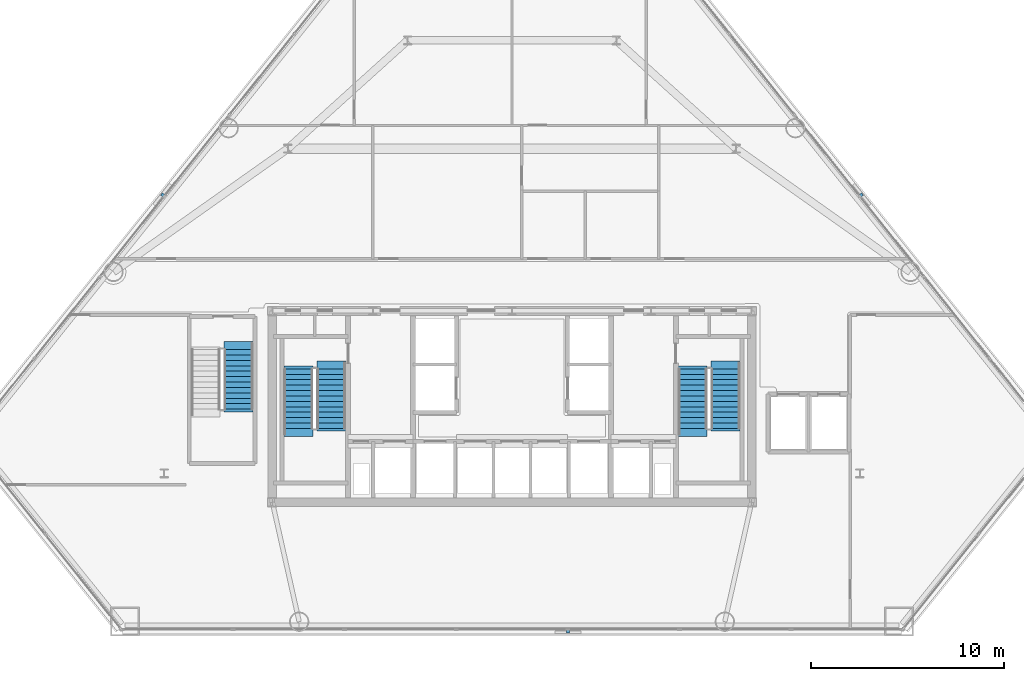
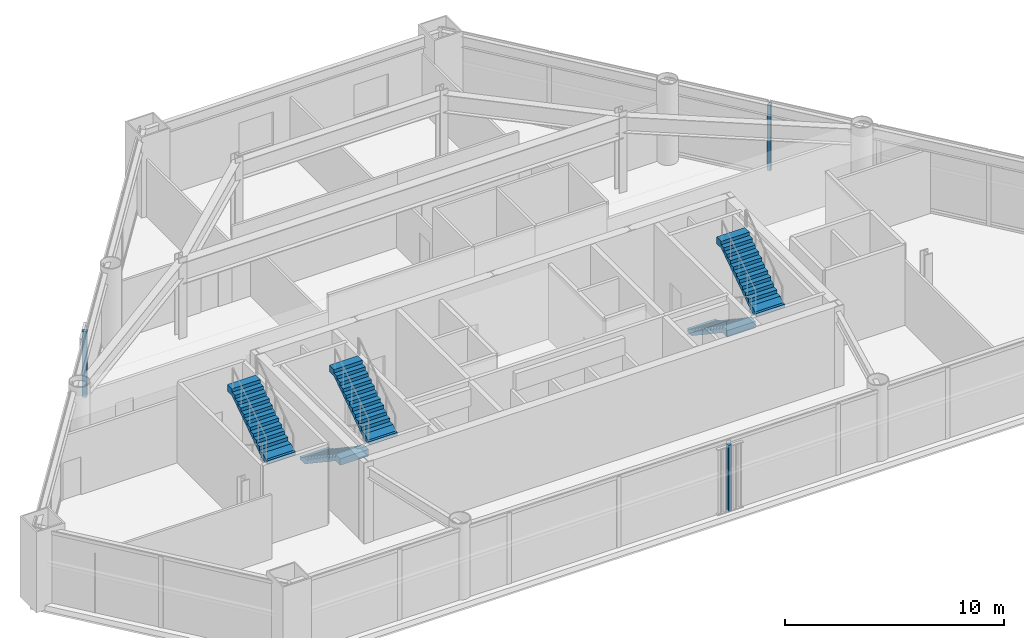
# One storey, part 10 of 13: 5 stair flights, 3 discrete accessories, 3 elements without a shape of their own.
"""IFC4 building model written with IfcOpenShell, lengths in metres."""

from ifc_helpers import new_model, si_unit, direction, frame, origin, origin_2d, place, context, subcontext, project, spatial, polyline, rectangle, outline, extrude, source, transform, mapped, material, layer, layer_set, type_object, type_shapes, element, aggregate, save


model = new_model("IFC4")

# Units and contexts
model_context = context("Model", 3, precision=1e-05, world=origin(), true_north=direction((0.0, 1.0)))
body_context = subcontext(model_context, "Body", "Model", "MODEL_VIEW")
ifc_project = project(units=[si_unit("LENGTHUNIT", "METRE"), si_unit("AREAUNIT", "SQUARE_METRE"), si_unit("VOLUMEUNIT", "CUBIC_METRE"), si_unit("PLANEANGLEUNIT", "RADIAN"), si_unit("MASSUNIT", "GRAM", prefix="KILO")], contexts=[model_context])

# Site, building, storey
site_placement = place(None, origin())
site = spatial("IfcSite", under=ifc_project, at=site_placement, CompositionType="ELEMENT")
building_placement = place(site_placement, origin())
building = spatial("IfcBuilding", under=site, at=building_placement, Name="Talgorran Terracotta Tower", CompositionType="ELEMENT")
storey_placement = place(building_placement, frame((0.0, 0.0, 9.89990234375)))
storey = spatial("IfcBuildingStorey", under=building, at=storey_placement, Name="L02", CompositionType="ELEMENT", Elevation=9.89990234375)

# Stair, stair flights
ifc_material_1 = material(Name="Concrete C40/50", Category="concrete")
stair_type_1 = type_object("IfcStairType", Name="ST_FIRE_SCISSOR", PredefinedType="HALF_TURN_STAIR", material=ifc_material_1)
stair_1_placement = place(storey_placement, origin())
stair_1 = element("IfcStair", 1, at=stair_1_placement, inside=storey, type_object=stair_type_1, Name="L02 West Protected Fire Stair ST-01", PredefinedType="HALF_TURN_STAIR")
ifc_layer_1 = layer(ifc_material_1, 0.179931640625, Name="STF_RC_1500")
ifc_layer_set_1 = layer_set([ifc_layer_1], Name="Concrete C40/50")
stair_flight_type_1 = type_object("IfcStairFlightType", Name="STF_RC_1500", PredefinedType="STRAIGHT", material=ifc_layer_set_1)
stair_flight_1_placement = place(storey_placement, frame((-11.050048828125, -7.199951171875, 0.0), z_axis=(0.0, 0.0, 1.0), x_axis=(0.0, -1.0, 0.0)))
stair_flight_1 = element("IfcStairFlight", 2, at=stair_flight_1_placement, type_object=stair_flight_type_1, Name="ST-01 flight 1", NumberOfRisers=12, NumberOfTreads=11, PredefinedType="STRAIGHT", RiserHeight=0.1875, TreadLength=0.28, context=body_context, shape_type="SweptSolid", body=[
    extrude(outline(polyline([(-0.139892578125, 0.0), (-0.139892578125, 0.1875), (0.0, 0.1875), (0.280029296875, 0.375), (0.56005859375, 0.375), (0.56005859375, 0.5625), (0.840087890625, 0.5625), (0.840087890625, 0.75), (1.1201171875, 0.75), (1.1201171875, 0.9375), (1.39990234375, 0.9375), (1.39990234375, 1.125), (1.679931640625, 1.125), (1.679931640625, 1.3125), (1.9599609375, 1.3125), (1.9599609375, 1.5), (2.239990234375, 1.5), (2.239990234375, 1.6875), (2.52001953125, 1.6875), (2.52001953125, 1.875), (2.800048828125, 1.875), (2.800048828125, 2.0625), (3.080078125, 2.0625), (3.080078125, 2.25), (3.5, 2.25), (3.5, 1.882080078125), (3.080078125, 1.882080078125), (0.26953125, 0.0), (-0.139892578125, 0.0)])), frame((0.0, 0.75, 0.0), z_axis=(0.0, -1.0, 0.0), x_axis=(1.0, 0.0, 0.0)), (0.0, 0.0, 1.0), 1.5),
])
stair_flight_2_placement = place(storey_placement, frame((-9.35009765625, -10.280029296875, 2.25), z_axis=(0.0, 0.0, 1.0), x_axis=(0.0, 1.0, 0.0)))
stair_flight_2 = element("IfcStairFlight", 3, at=stair_flight_2_placement, type_object=stair_flight_type_1, Name="ST-01 flight 2", NumberOfRisers=12, NumberOfTreads=11, PredefinedType="STRAIGHT", RiserHeight=0.1875, TreadLength=0.28, context=body_context, shape_type="SweptSolid", body=[
    extrude(outline(polyline([(-0.139892578125, 0.0), (-0.139892578125, 0.1875), (0.0, 0.1875), (0.280029296875, 0.375), (0.56005859375, 0.375), (0.56005859375, 0.5625), (0.840087890625, 0.5625), (0.840087890625, 0.75), (1.1201171875, 0.75), (1.1201171875, 0.9375), (1.39990234375, 0.9375), (1.39990234375, 1.125), (1.679931640625, 1.125), (1.679931640625, 1.3125), (1.9599609375, 1.3125), (1.9599609375, 1.5), (2.239990234375, 1.5), (2.239990234375, 1.6875), (2.52001953125, 1.6875), (2.52001953125, 1.875), (2.800048828125, 1.875), (2.800048828125, 2.0625), (3.080078125, 2.0625), (3.080078125, 2.25), (3.5, 2.25), (3.5, 1.882080078125), (3.080078125, 1.882080078125), (0.26953125, 0.0), (-0.139892578125, 0.0)])), frame((0.0, 0.75, 0.0), z_axis=(0.0, -1.0, 0.0), x_axis=(1.0, 0.0, 0.0)), (0.0, 0.0, 1.0), 1.5),
])
aggregate(stair_1, [stair_flight_1, stair_flight_2])

stair_2_placement = place(storey_placement, origin())
stair_2 = element("IfcStair", 4, at=stair_2_placement, inside=storey, type_object=stair_type_1, Name="L02 East Protected Fire Stair ST-02", PredefinedType="HALF_TURN_STAIR")
stair_flight_3_placement = place(storey_placement, frame((9.35009765625, -7.199951171875, 0.0), z_axis=(0.0, 0.0, 1.0), x_axis=(0.0, -1.0, 0.0)))
stair_flight_3 = element("IfcStairFlight", 5, at=stair_flight_3_placement, type_object=stair_flight_type_1, Name="ST-02 flight 1", NumberOfRisers=12, NumberOfTreads=11, PredefinedType="STRAIGHT", RiserHeight=0.1875, TreadLength=0.28, context=body_context, shape_type="SweptSolid", body=[
    extrude(outline(polyline([(-0.139892578125, 0.0), (-0.139892578125, 0.1875), (0.0, 0.1875), (0.280029296875, 0.375), (0.56005859375, 0.375), (0.56005859375, 0.5625), (0.840087890625, 0.5625), (0.840087890625, 0.75), (1.1201171875, 0.75), (1.1201171875, 0.9375), (1.39990234375, 0.9375), (1.39990234375, 1.125), (1.679931640625, 1.125), (1.679931640625, 1.3125), (1.9599609375, 1.3125), (1.9599609375, 1.5), (2.239990234375, 1.5), (2.239990234375, 1.6875), (2.52001953125, 1.6875), (2.52001953125, 1.875), (2.800048828125, 1.875), (2.800048828125, 2.0625), (3.080078125, 2.0625), (3.080078125, 2.25), (3.5, 2.25), (3.5, 1.882080078125), (3.080078125, 1.882080078125), (0.26953125, 0.0), (-0.139892578125, 0.0)])), frame((0.0, 0.75, 0.0), z_axis=(0.0, -1.0, 0.0), x_axis=(1.0, 0.0, 0.0)), (0.0, 0.0, 1.0), 1.5),
])
stair_flight_4_placement = place(storey_placement, frame((11.050048828125, -10.280029296875, 2.25), z_axis=(0.0, 0.0, 1.0), x_axis=(0.0, 1.0, 0.0)))
stair_flight_4 = element("IfcStairFlight", 6, at=stair_flight_4_placement, type_object=stair_flight_type_1, Name="ST-02 flight 2", NumberOfRisers=12, NumberOfTreads=11, PredefinedType="STRAIGHT", RiserHeight=0.1875, TreadLength=0.28, context=body_context, shape_type="SweptSolid", body=[
    extrude(outline(polyline([(-0.139892578125, 0.0), (-0.139892578125, 0.1875), (0.0, 0.1875), (0.280029296875, 0.375), (0.56005859375, 0.375), (0.56005859375, 0.5625), (0.840087890625, 0.5625), (0.840087890625, 0.75), (1.1201171875, 0.75), (1.1201171875, 0.9375), (1.39990234375, 0.9375), (1.39990234375, 1.125), (1.679931640625, 1.125), (1.679931640625, 1.3125), (1.9599609375, 1.3125), (1.9599609375, 1.5), (2.239990234375, 1.5), (2.239990234375, 1.6875), (2.52001953125, 1.6875), (2.52001953125, 1.875), (2.800048828125, 1.875), (2.800048828125, 2.0625), (3.080078125, 2.0625), (3.080078125, 2.25), (3.5, 2.25), (3.5, 1.882080078125), (3.080078125, 1.882080078125), (0.26953125, 0.0), (-0.139892578125, 0.0)])), frame((0.0, 0.75, 0.0), z_axis=(0.0, -1.0, 0.0), x_axis=(1.0, 0.0, 0.0)), (0.0, 0.0, 1.0), 1.5),
])
aggregate(stair_2, [stair_flight_3, stair_flight_4])

# Stair, stair flight
stair_type_2 = type_object("IfcStairType", Name="ST_PODIUM_DOGLEG", PredefinedType="HALF_TURN_STAIR", material=ifc_material_1)
stair_3_placement = place(storey_placement, origin())
stair_3 = element("IfcStair", 7, at=stair_3_placement, inside=storey, type_object=stair_type_2, Name="L02 Podium Health Fire Stair ST-03", PredefinedType="HALF_TURN_STAIR")
ifc_layer_2 = layer(ifc_material_1, 0.195068359375, Name="STF_RC_PODIUM")
ifc_layer_set_2 = layer_set([ifc_layer_2], Name="Concrete C40/50")
stair_flight_type_2 = type_object("IfcStairFlightType", Name="STF_RC_PODIUM", PredefinedType="STRAIGHT", material=ifc_layer_set_2)
stair_flight_5_placement = place(storey_placement, frame((-14.14990234375, -9.280029296875, 2.25), z_axis=(0.0, 0.0, 1.0), x_axis=(0.0, 1.0, 0.0)))
stair_flight_5 = element("IfcStairFlight", 8, at=stair_flight_5_placement, type_object=stair_flight_type_2, Name="ST-03 flight 2", NumberOfRisers=12, NumberOfTreads=11, PredefinedType="STRAIGHT", RiserHeight=0.1875, TreadLength=0.28, context=body_context, shape_type="SweptSolid", body=[
    extrude(outline(polyline([(-0.139892578125, 0.0), (-0.139892578125, 0.1875), (0.0, 0.1875), (0.280029296875, 0.375), (0.56005859375, 0.375), (0.56005859375, 0.5625), (0.840087890625, 0.5625), (0.840087890625, 0.75), (1.1201171875, 0.75), (1.1201171875, 0.9375), (1.39990234375, 0.9375), (1.39990234375, 1.125), (1.679931640625, 1.125), (1.679931640625, 1.3125), (1.9599609375, 1.3125), (1.9599609375, 1.5), (2.239990234375, 1.5), (2.239990234375, 1.6875), (2.52001953125, 1.6875), (2.52001953125, 1.875), (2.800048828125, 1.875), (2.800048828125, 2.0625), (3.080078125, 2.0625), (3.080078125, 2.25), (3.5, 2.25), (3.5, 1.882080078125), (3.080078125, 1.882080078125), (0.26953125, 0.0), (-0.139892578125, 0.0)])), frame((0.0, 0.75, 0.0), z_axis=(0.0, -1.0, 0.0), x_axis=(1.0, 0.0, 0.0)), (0.0, 0.0, 1.0), 1.5),
])
aggregate(stair_3, [stair_flight_5])

# Discrete accessories
ifc_material_2 = material(Name="Stainless Steel Grade 316", Category="steel")
ifc_layer_3 = layer(ifc_material_2, 0.080078125, Name="ACC_BAGUETTE_BRKT")
ifc_layer_set_3 = layer_set([ifc_layer_3], Name="Stainless Steel Grade 316")
discrete_accessory_type = type_object("IfcDiscreteAccessoryType", Name="ACC_BAGUETTE_BRKT", PredefinedType="BRACKET", material=ifc_layer_set_3)
shared_shape = source(origin(), body_context, "Body", "SweptSolid", [
    extrude(rectangle(XDim=0.159912109375, YDim=0.219970703125, at=origin_2d()), origin(), (0.0, 0.0, 1.0), 3.669921875),
])
type_shapes(discrete_accessory_type, [shared_shape])
for number, where, z_axis, x_axis, name in (
    (9, (2.8876953125, -20.75, 0.35009765625), (0.0, 0.0, 1.0), (1.0, 0.0, 0.0), "BRK-L02-F1"),
    (10, (18.049072265625, 1.78369140625, 0.35009765625), (0.0, 0.0, 1.0), (-0.625120058901, 0.780528610597, 0.0), "BRK-L02-F3"),
    (11, (-18.048828125, 1.78369140625, 0.35009765625), (0.0, 0.0, 1.0), (-0.625120058901, -0.780528610597, 0.0), "BRK-L02-F5"),
):
    element("IfcDiscreteAccessory", number, at=place(storey_placement, frame(where, z_axis=z_axis, x_axis=x_axis)), inside=storey, type_object=discrete_accessory_type, Name=name, PredefinedType="BRACKET", context=body_context, shape_type="MappedRepresentation", body=[
        mapped(shared_shape, transform((0.0, 0.0, 0.0), scale=1.0)),
    ])

save(model, "model.ifc")
